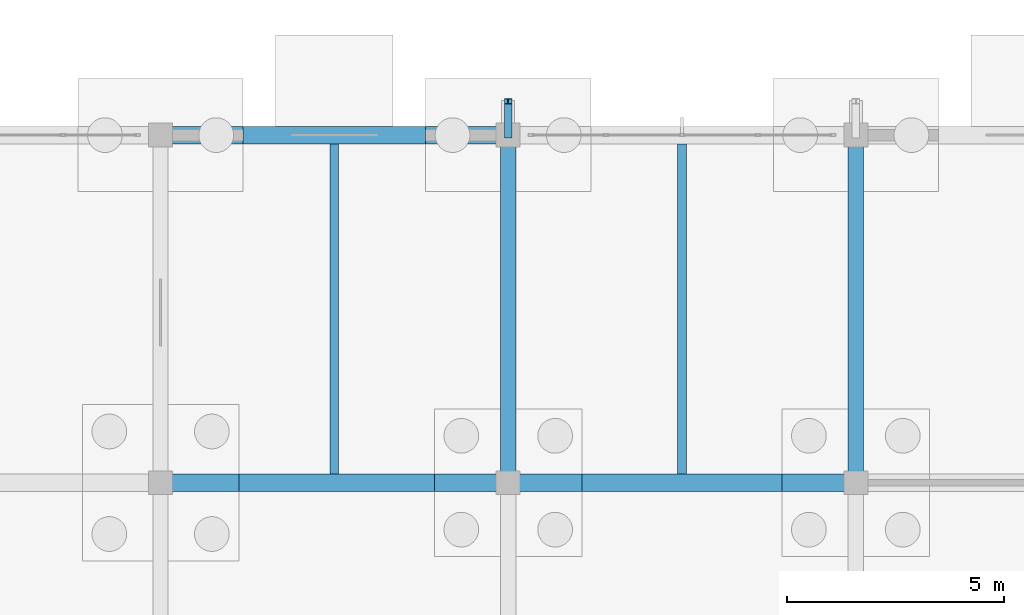
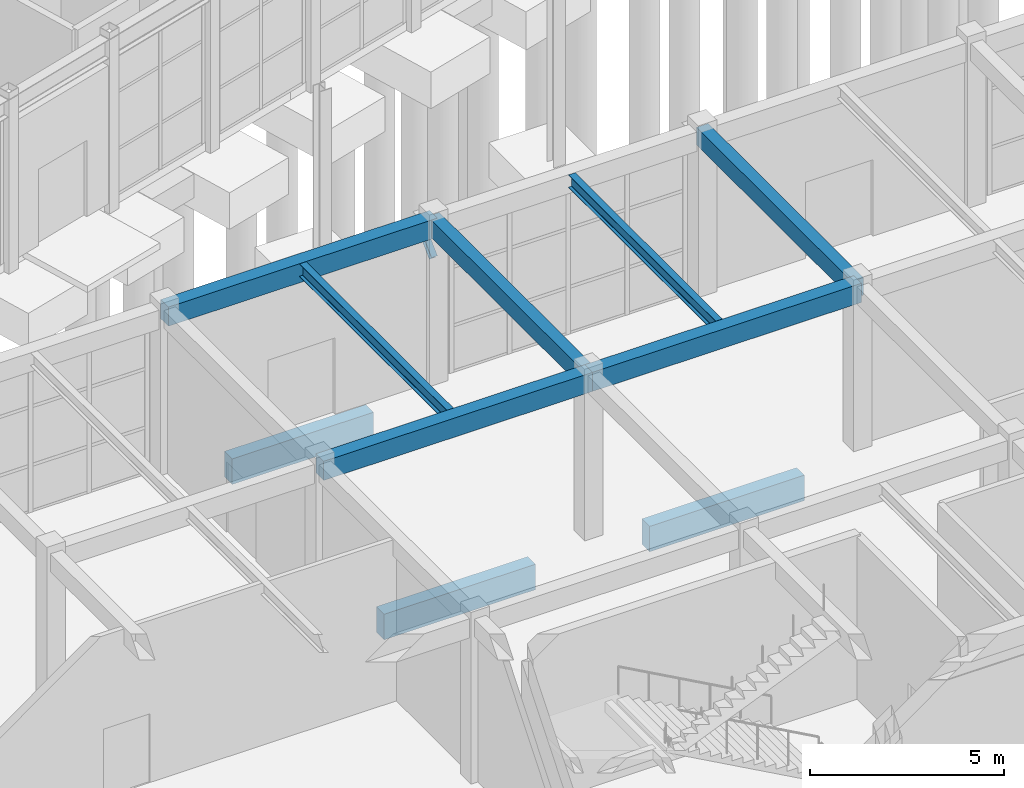
# One storey, part 20 of 90: 10 beams, 1 member.
"""IFC4 building model written with IfcOpenShell, lengths in metres."""

from ifc_helpers import new_model, si_unit, direction, frame, origin, origin_2d, place, context, subcontext, project, spatial, rectangle, i_section, extrude, material, material_profile, profile_set, type_object, element, save


model = new_model("IFC4")

# Units and contexts
model_context = context("Model", 3, precision=1e-05, world=origin(), true_north=direction((0.0, 1.0)))
body_context = subcontext(model_context, "Body", "Model", "MODEL_VIEW")
ifc_project = project(units=[si_unit("LENGTHUNIT", "METRE"), si_unit("AREAUNIT", "SQUARE_METRE"), si_unit("VOLUMEUNIT", "CUBIC_METRE"), si_unit("PLANEANGLEUNIT", "RADIAN"), si_unit("MASSUNIT", "GRAM", prefix="KILO")], contexts=[model_context])

# Site, building, storey
site_placement = place(None, origin())
site = spatial("IfcSite", under=ifc_project, at=site_placement, CompositionType="ELEMENT")
building_placement = place(site_placement, origin())
building = spatial("IfcBuilding", under=site, at=building_placement, Name="Canggui Botanical Conservatory", CompositionType="ELEMENT")
storey_placement = place(building_placement, origin())
storey = spatial("IfcBuildingStorey", under=building, at=storey_placement, Name="L01", CompositionType="ELEMENT", Elevation=0.0)

# Beams
ifc_material_1 = material(Name="Concrete C35", Category="concrete")
ifc_material_profile_1 = material_profile(ifc_material_1, rectangle(XDim=0.39990234375, YDim=0.800048828125, at=origin_2d()), Name="RB 400x800")
ifc_profile_set_1 = profile_set([ifc_material_profile_1], Name="Concrete C35")
beam_type_1 = type_object("IfcBeamType", Name="BM-JCL01", PredefinedType="USERDEFINED", material=ifc_profile_set_1)
beam_1_placement = place(storey_placement, frame((27.800048828125, 26.0, -0.679931640625), z_axis=(1.0, 0.0, 0.0), x_axis=(0.0, 1.0, 0.0)))
element("IfcBeam", 1, at=beam_1_placement, inside=storey, type_object=beam_type_1, Name="Foundation Grade Tie Beam JCL-015", ObjectType="GRADE BEAM", PredefinedType="USERDEFINED", context=body_context, shape_type="SweptSolid", body=[
    extrude(rectangle(XDim=0.39990234375, YDim=0.800048828125, at=origin_2d()), origin(), (0.0, 0.0, 1.0), 4.5),
])
beam_2_placement = place(storey_placement, frame((35.699951171875, 26.0, -0.679931640625), z_axis=(1.0, 0.0, 0.0), x_axis=(0.0, 1.0, 0.0)))
element("IfcBeam", 2, at=beam_2_placement, inside=storey, type_object=beam_type_1, Name="Foundation Grade Tie Beam JCL-016", ObjectType="GRADE BEAM", PredefinedType="USERDEFINED", context=body_context, shape_type="SweptSolid", body=[
    extrude(rectangle(XDim=0.39990234375, YDim=0.800048828125, at=origin_2d()), origin(), (0.0, 0.0, 1.0), 4.60009765625),
])
beam_3_placement = place(storey_placement, frame((27.89990234375, 34.0, -0.679931640625), z_axis=(1.0, 0.0, 0.0), x_axis=(0.0, 1.0, 0.0)))
element("IfcBeam", 3, at=beam_3_placement, inside=storey, type_object=beam_type_1, Name="Foundation Grade Tie Beam JCL-022", ObjectType="GRADE BEAM", PredefinedType="USERDEFINED", context=body_context, shape_type="SweptSolid", body=[
    extrude(rectangle(XDim=0.39990234375, YDim=0.800048828125, at=origin_2d()), origin(), (0.0, 0.0, 1.0), 4.2001953125),
])
ifc_material_2 = material(Name="Steel Q355B", Category="steel")
ifc_material_profile_2 = material_profile(ifc_material_2, i_section(OverallWidth=0.199951171875, OverallDepth=0.39990234375, WebThickness=0.008056640625, FlangeThickness=0.012939453125, FilletRadius=0.01611328125, at=origin_2d()), Name="HN 400x200x8x13")
ifc_profile_set_2 = profile_set([ifc_material_profile_2], Name="Steel Q355B")
beam_type_2 = type_object("IfcBeamType", Name="BM-JST06", PredefinedType="JOIST", material=ifc_profile_set_2)
for number, where, z_axis, x_axis, name in (
    (4, (30.0, 26.205078125, 4.9599609375), (0.0, 1.0, 0.0), (-1.0, 0.0, 0.0), "Visitor Composite Steel Joist L01-2-3"),
    (5, (38.0, 26.205078125, 4.9599609375), (0.0, 1.0, 0.0), (-1.0, 0.0, 0.0), "Visitor Composite Steel Joist L01-3-3"),
):
    element("IfcBeam", number, at=place(storey_placement, frame(where, z_axis=z_axis, x_axis=x_axis)), inside=storey, type_object=beam_type_2, Name=name, PredefinedType="JOIST", context=body_context, shape_type="SweptSolid", body=[
        extrude(i_section(OverallWidth=0.199951171875, OverallDepth=0.39990234375, WebThickness=0.008056640625, FlangeThickness=0.012939453125, FilletRadius=0.01611328125, at=origin_2d()), origin(), (0.0, 0.0, 1.0), 7.58984375),
    ])
ifc_material_profile_3 = material_profile(ifc_material_1, rectangle(XDim=0.39990234375, YDim=0.60009765625, at=origin_2d()), Name="RB 400x600")
ifc_profile_set_3 = profile_set([ifc_material_profile_3], Name="Concrete C35")
beam_type_3 = type_object("IfcBeamType", Name="BM-KL13", PredefinedType="BEAM", material=ifc_profile_set_3)
for number, where, z_axis, x_axis, name in (
    (6, (26.0, 26.0, 4.860107421875), (1.0, 0.0, 0.0), (0.0, 1.0, 0.0), "Visitor Girder L01 Y26-2"),
    (7, (34.0, 26.0, 4.860107421875), (1.0, 0.0, 0.0), (0.0, 1.0, 0.0), "Visitor Girder L01 Y26-3"),
    (8, (26.0, 34.0, 4.860107421875), (1.0, 0.0, 0.0), (0.0, 1.0, 0.0), "Visitor Girder L01 Y34-2"),
):
    element("IfcBeam", number, at=place(storey_placement, frame(where, z_axis=z_axis, x_axis=x_axis)), inside=storey, type_object=beam_type_3, Name=name, PredefinedType="BEAM", context=body_context, shape_type="SweptSolid", body=[
        extrude(rectangle(XDim=0.39990234375, YDim=0.60009765625, at=origin_2d()), origin(), (0.0, 0.0, 1.0), 8.0),
    ])
ifc_material_profile_4 = material_profile(ifc_material_1, rectangle(XDim=0.35009765625, YDim=0.550048828125, at=origin_2d()), Name="RB 350x550")
ifc_profile_set_4 = profile_set([ifc_material_profile_4], Name="Concrete C35")
beam_type_4 = type_object("IfcBeamType", Name="BM-KL20", PredefinedType="BEAM", material=ifc_profile_set_4)
for number, where, z_axis, x_axis, name in (
    (9, (34.0, 26.0, 4.885009765625), (0.0, 1.0, 0.0), (-1.0, 0.0, 0.0), "Visitor Girder L01 X34-3"),
    (10, (42.0, 26.0, 4.885009765625), (0.0, 1.0, 0.0), (-1.0, 0.0, 0.0), "Visitor Girder L01 X42-3"),
):
    element("IfcBeam", number, at=place(storey_placement, frame(where, z_axis=z_axis, x_axis=x_axis)), inside=storey, type_object=beam_type_4, Name=name, PredefinedType="BEAM", context=body_context, shape_type="SweptSolid", body=[
        extrude(rectangle(XDim=0.35009765625, YDim=0.550048828125, at=origin_2d()), origin(), (0.0, 0.0, 1.0), 8.0),
    ])

# Member
ifc_material_profile_5 = material_profile(ifc_material_2, i_section(OverallWidth=0.175048828125, OverallDepth=0.175048828125, WebThickness=0.007568359375, FlangeThickness=0.010986328125, FilletRadius=0.011962890625, at=origin_2d()), Name="HW 175x175x7.5x11")
ifc_profile_set_5 = profile_set([ifc_material_profile_5], Name="Steel Q355B")
member_type = type_object("IfcMemberType", Name="MEM-STR02", PredefinedType="STRINGER", material=ifc_profile_set_5)
member_placement = place(storey_placement, frame((34.0, 34.0, 3.800048828125), z_axis=(0.0, 0.716238207287, 0.69785588084), x_axis=(-1.0, 0.0, 0.0)))
element("IfcMember", 11, at=member_placement, inside=storey, type_object=member_type, Name="SB-02 Corbel Diagonal Knee Strut 1", PredefinedType="BRACE", context=body_context, shape_type="SweptSolid", body=[
    extrude(i_section(OverallWidth=0.175048828125, OverallDepth=0.175048828125, WebThickness=0.007568359375, FlangeThickness=0.010986328125, FilletRadius=0.011962890625, at=origin_2d()), origin(), (0.0, 0.0, 1.0), 1.089111328125),
])

save(model, "model.ifc")
